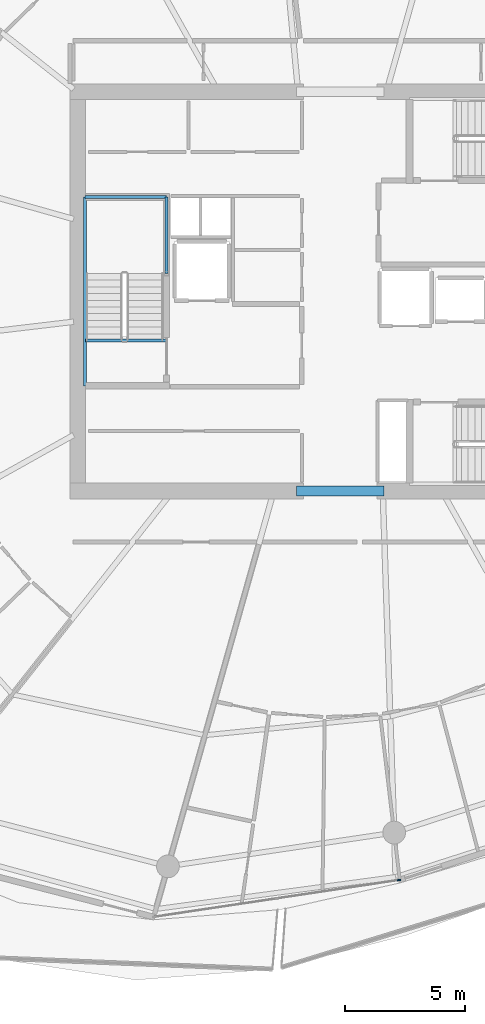
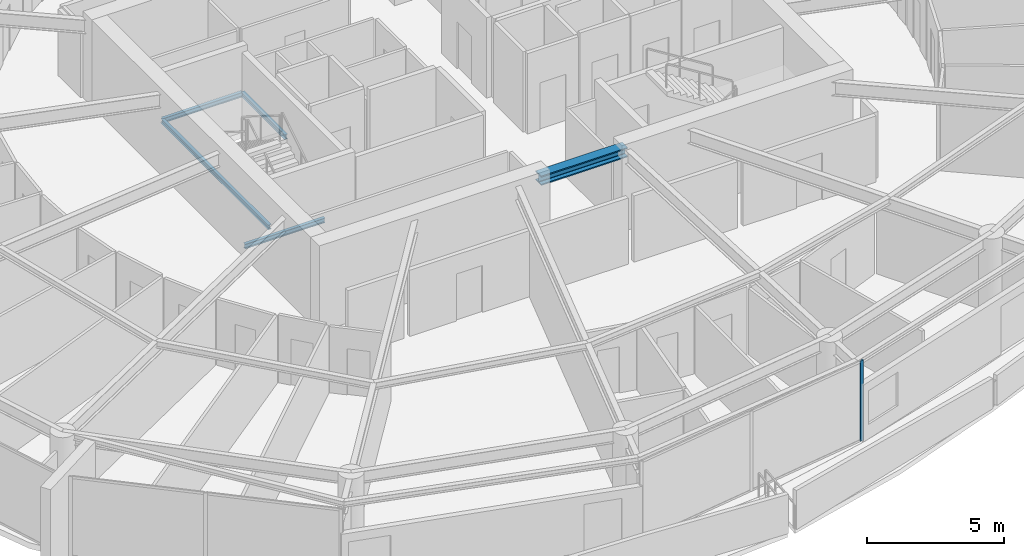
# One storey, part 9 of 31: 5 beams, 1 member, 1 element without a shape of its own.
"""IFC4 building model written with IfcOpenShell, lengths in metres."""

from ifc_helpers import new_model, si_unit, direction, frame, origin, origin_2d, place, context, subcontext, project, spatial, rectangle, i_section, extrude, material, layer, layer_set, material_profile, profile_set, type_object, element, aggregate, save


model = new_model("IFC4")

# Units and contexts
model_context = context("Model", 3, precision=1e-05, world=origin(), true_north=direction((0.0, 1.0)))
body_context = subcontext(model_context, "Body", "Model", "MODEL_VIEW")
ifc_project = project(units=[si_unit("LENGTHUNIT", "METRE"), si_unit("AREAUNIT", "SQUARE_METRE"), si_unit("VOLUMEUNIT", "CUBIC_METRE"), si_unit("PLANEANGLEUNIT", "RADIAN"), si_unit("MASSUNIT", "GRAM", prefix="KILO")], contexts=[model_context])

# Site, building, storey
site_placement = place(None, origin())
site = spatial("IfcSite", under=ifc_project, at=site_placement, CompositionType="ELEMENT")
building_placement = place(site_placement, origin())
building = spatial("IfcBuilding", under=site, at=building_placement, Name="Kazma Halo Residences", CompositionType="ELEMENT")
storey_placement = place(building_placement, frame((0.0, 0.0, 271.35009765625)))
storey = spatial("IfcBuildingStorey", under=building, at=storey_placement, Name="L68", CompositionType="ELEMENT", Elevation=271.35009765625)

# Beams
ifc_material_1 = material(Name="Steel S355", Category="steel")
ifc_material_profile_1 = material_profile(ifc_material_1, i_section(OverallWidth=0.408935546875, OverallDepth=0.425048828125, WebThickness=0.03271484375, FlangeThickness=0.052490234375, FilletRadius=0.02001953125, at=origin_2d()), Name="W360x421")
ifc_profile_set_1 = profile_set([ifc_material_profile_1], Name="Steel S355")
beam_type_1 = type_object("IfcBeamType", Name="BM-CORE-W360H", PredefinedType="BEAM", material=ifc_profile_set_1)
beam_1_placement = place(storey_placement, frame((46.60009765625, 33.675048828125, 3.37744140625), z_axis=(1.0, 0.0, 0.0), x_axis=(0.0, 1.0, 0.0)))
element("IfcBeam", 1, at=beam_1_placement, inside=storey, type_object=beam_type_1, Name="L68 core coupling beam S", PredefinedType="BEAM", context=body_context, shape_type="SweptSolid", body=[
    extrude(i_section(OverallWidth=0.408935546875, OverallDepth=0.425048828125, WebThickness=0.03271484375, FlangeThickness=0.052490234375, FilletRadius=0.02001953125, at=origin_2d()), origin(), (0.0, 0.0, 1.0), 3.64990234375),
])
ifc_material_profile_2 = material_profile(ifc_material_1, i_section(OverallWidth=0.133056640625, OverallDepth=0.20703125, WebThickness=0.005859375, FlangeThickness=0.00830078125, FilletRadius=0.010009765625, at=origin_2d()), Name="W200x26.6")
ifc_profile_set_2 = profile_set([ifc_material_profile_2], Name="Steel S355")
beam_type_2 = type_object("IfcBeamType", Name="BM-TRIM-W200", PredefinedType="BEAM", material=ifc_profile_set_2)
beam_2_placement = place(storey_placement, frame((37.800048828125, 39.949951171875, -0.3701171875), z_axis=(1.0, 0.0, 0.0), x_axis=(0.0, 1.0, 0.0)))
element("IfcBeam", 2, at=beam_2_placement, inside=storey, type_object=beam_type_2, Name="L68 ST-01 floor landing support beam", PredefinedType="BEAM", context=body_context, shape_type="SweptSolid", body=[
    extrude(i_section(OverallWidth=0.133056640625, OverallDepth=0.20703125, WebThickness=0.005859375, FlangeThickness=0.00830078125, FilletRadius=0.010009765625, at=origin_2d()), origin(), (0.0, 0.0, 1.0), 3.3798828125),
])
beam_3_placement = place(storey_placement, frame((37.780029296875, 38.06005859375, 1.619873046875), z_axis=(0.0, 1.0, 0.0), x_axis=(-1.0, 0.0, 0.0)))
element("IfcBeam", 3, at=beam_3_placement, inside=storey, type_object=beam_type_2, Name="L68 ST-01 landing west wall ledger", PredefinedType="BEAM", context=body_context, shape_type="SweptSolid", body=[
    extrude(i_section(OverallWidth=0.133056640625, OverallDepth=0.20703125, WebThickness=0.005859375, FlangeThickness=0.00830078125, FilletRadius=0.010009765625, at=origin_2d()), origin(), (0.0, 0.0, 1.0), 7.8798828125),
])
beam_4_placement = place(storey_placement, frame((41.179931640625, 42.75, 1.619873046875), z_axis=(0.0, 1.0, 0.0), x_axis=(-1.0, 0.0, 0.0)))
element("IfcBeam", 4, at=beam_4_placement, inside=storey, type_object=beam_type_2, Name="L68 ST-01 landing east wall ledger", PredefinedType="BEAM", context=body_context, shape_type="SweptSolid", body=[
    extrude(i_section(OverallWidth=0.133056640625, OverallDepth=0.20703125, WebThickness=0.005859375, FlangeThickness=0.00830078125, FilletRadius=0.010009765625, at=origin_2d()), origin(), (0.0, 0.0, 1.0), 3.18994140625),
])
beam_5_placement = place(storey_placement, frame((37.780029296875, 45.93994140625, 1.619873046875), z_axis=(1.0, 0.0, 0.0), x_axis=(0.0, 1.0, 0.0)))
element("IfcBeam", 5, at=beam_5_placement, inside=storey, type_object=beam_type_2, Name="L68 ST-01 landing end wall ledger", PredefinedType="BEAM", context=body_context, shape_type="SweptSolid", body=[
    extrude(i_section(OverallWidth=0.133056640625, OverallDepth=0.20703125, WebThickness=0.005859375, FlangeThickness=0.00830078125, FilletRadius=0.010009765625, at=origin_2d()), origin(), (0.0, 0.0, 1.0), 3.39990234375),
])

# Curtain wall, member
ifc_material_2 = material(Name="Aluminium AW-6063 T6 and Triple-Silver Low-E Glass", Category="aluminium")
ifc_layer = layer(ifc_material_2, 0.139892578125)
ifc_layer_set = layer_set([ifc_layer], Name="Aluminium AW-6063 T6 and Triple-Silver Low-E Glass")
curtain_wall_type = type_object("IfcCurtainWallType", Name="CW-SYS-5", PredefinedType="NOTDEFINED", material=ifc_layer_set)
curtain_wall_placement = place(storey_placement, origin())
curtain_wall = element("IfcCurtainWall", 6, at=curtain_wall_placement, inside=storey, type_object=curtain_wall_type, Name="L68 unitised curtain wall B11", PredefinedType="NOTDEFINED")
ifc_material_3 = material(Name="Aluminium AW-6063 T6", Category="aluminium")
ifc_material_profile_3 = material_profile(ifc_material_3, rectangle(XDim=0.06005859375, YDim=0.139892578125, at=origin_2d()), Name="CWM-60x140")
ifc_profile_set_3 = profile_set([ifc_material_profile_3], Name="Aluminium AW-6063 T6")
member_type = type_object("IfcMemberType", Name="CW-SYS-5-MUL", PredefinedType="MULLION", material=ifc_profile_set_3)
member_placement = place(storey_placement, frame((50.875732421875, 17.447265625, 0.0), z_axis=(0.0, 0.0, 1.0), x_axis=(-0.148697080374, 0.988882792998, 0.0)))
member = element("IfcMember", 7, at=member_placement, type_object=member_type, Name="CWS-5 mullion 3", PredefinedType="MULLION", context=body_context, shape_type="SweptSolid", body=[
    extrude(rectangle(XDim=0.06005859375, YDim=0.139892578125, at=origin_2d()), origin(), (0.0, 0.0, 1.0), 3.58984375),
])
aggregate(curtain_wall, [member])

save(model, "model.ifc")
